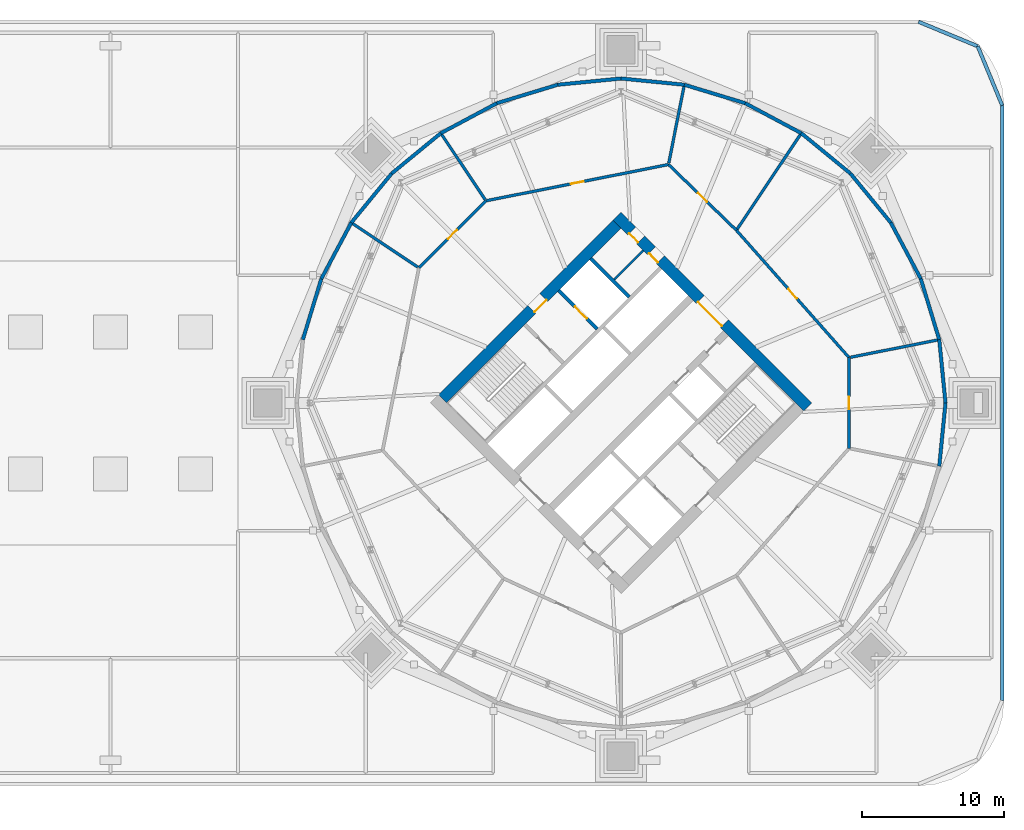
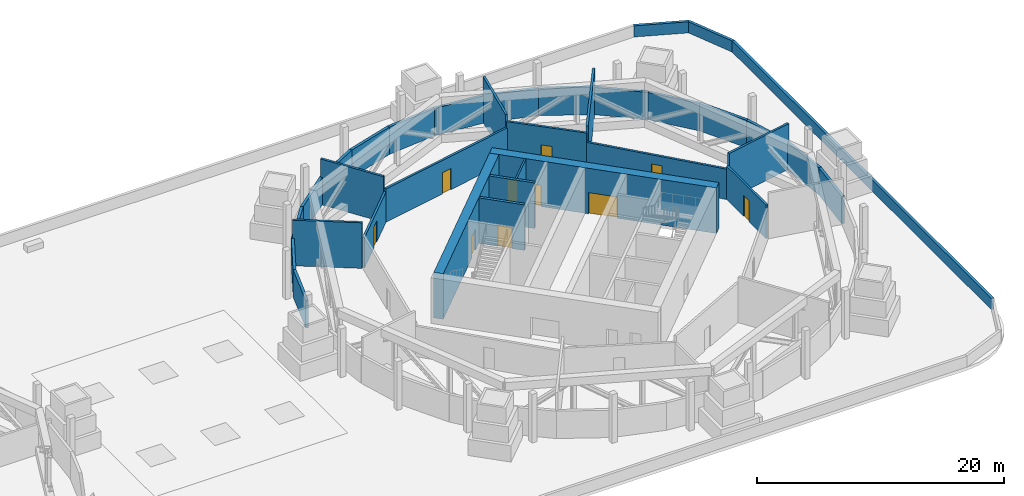
# One storey, part 16 of 21: 34 walls, 10 doors, 10 openings.
"""IFC4 building model written with IfcOpenShell, lengths in metres."""

from ifc_helpers import new_model, si_unit, direction, frame, frame_2d, origin, place, context, subcontext, project, spatial, rectangle, extrude, material, layer, layer_set, type_object, element, fill, save


model = new_model("IFC4")

# Units and contexts
model_context = context("Model", 3, precision=1e-05, world=origin(), true_north=direction((0.0, 1.0)))
body_context = subcontext(model_context, "Body", "Model", "MODEL_VIEW")
ifc_project = project(units=[si_unit("LENGTHUNIT", "METRE"), si_unit("AREAUNIT", "SQUARE_METRE"), si_unit("VOLUMEUNIT", "CUBIC_METRE"), si_unit("PLANEANGLEUNIT", "RADIAN"), si_unit("MASSUNIT", "GRAM", prefix="KILO")], contexts=[model_context])

# Site, building, storey
site_placement = place(None, origin())
site = spatial("IfcSite", under=ifc_project, at=site_placement, CompositionType="ELEMENT")
building_placement = place(site_placement, origin())
building = spatial("IfcBuilding", under=site, at=building_placement, Name="Ogive Gate Towers", CompositionType="ELEMENT")
storey_placement = place(building_placement, frame((0.0, 0.0, 27.60009765625)))
storey = spatial("IfcBuildingStorey", under=building, at=storey_placement, Name="L05", CompositionType="ELEMENT", Elevation=27.60009765625)

# Walls
ifc_material_1 = material(Name="Fire-rated block compartment wall")
ifc_layer_1 = layer(ifc_material_1, 0.199951171875)
ifc_layer_set_1 = layer_set([ifc_layer_1], Name="Compartment wall 200")
wall_type_1 = type_object("IfcWallType", Name="Compartment wall 200", PredefinedType="PARTITIONING", material=ifc_layer_set_1)
wall_1_placement = place(storey_placement, frame((58.45947265625, 4.467529296875, 0.0), z_axis=(0.0, 0.0, 1.0), x_axis=(-0.980788171944, -0.195075784694, 0.0)))
element("IfcWall", 1, at=wall_1_placement, inside=storey, type_object=wall_type_1, Name="Partition T2-L05-001", PredefinedType="PARTITIONING", context=body_context, shape_type="SweptSolid", body=[
    extrude(rectangle(XDim=6.408935546875, YDim=0.199951171875, at=frame_2d((3.20458984375, 0.0))), origin(), (0.0, 0.0, 1.0), 4.5),
])
wall_2_placement = place(storey_placement, frame((48.722412109375, 19.040283203125, 0.0), z_axis=(0.0, 0.0, 1.0), x_axis=(-0.555576856698, -0.831465186464, 0.0)))
element("IfcWall", 2, at=wall_2_placement, inside=storey, type_object=wall_type_1, Name="Partition T2-L05-002", PredefinedType="PARTITIONING", context=body_context, shape_type="SweptSolid", body=[
    extrude(rectangle(XDim=8.158935546875, YDim=0.199951171875, at=frame_2d((4.07958984375, 0.0))), origin(), (0.0, 0.0, 1.0), 4.5),
])
wall_3_placement = place(storey_placement, frame((40.467529296875, 22.45947265625, 0.0), z_axis=(0.0, 0.0, 1.0), x_axis=(-0.195087260988, -0.980785889275, 0.0)))
element("IfcWall", 3, at=wall_3_placement, inside=storey, type_object=wall_type_1, Name="Partition T2-L05-003", PredefinedType="PARTITIONING", context=body_context, shape_type="SweptSolid", body=[
    extrude(rectangle(XDim=5.658935546875, YDim=0.199951171875, at=frame_2d((2.82958984375, 0.0))), origin(), (0.0, 0.0, 1.0), 4.5),
])
for number, where, z_axis, x_axis, name in (
    (4, (23.277587890625, 19.040283203125, 0.0), (0.0, 0.0, 1.0), (0.555575992651, -0.831465763811, 0.0), "Partition T2-L05-004"),
    (5, (16.959716796875, 12.722412109375, 0.0), (0.0, 0.0, 1.0), (0.831465763811, -0.555575992651, 0.0), "Partition T2-L05-005"),
):
    element("IfcWall", number, at=place(storey_placement, frame(where, z_axis=z_axis, x_axis=x_axis)), inside=storey, type_object=wall_type_1, Name=name, PredefinedType="PARTITIONING", context=body_context, shape_type="SweptSolid", body=[
        extrude(rectangle(XDim=5.6591796875, YDim=0.199951171875, at=frame_2d((2.82958984375, 0.0))), origin(), (0.0, 0.0, 1.0), 4.5),
    ])

# Wall, opening, door
wall_4_placement = place(storey_placement, frame((52.075439453125, 3.197509765625, 0.0), z_axis=(0.0, 0.0, 1.0), x_axis=(-0.662653875427, 0.748925791638, 0.0)))
wall_4 = element("IfcWall", 6, at=wall_4_placement, inside=storey, type_object=wall_type_1, Name="Partition T2-L05-011", PredefinedType="PARTITIONING", context=body_context, shape_type="SweptSolid", body=[
    extrude(rectangle(XDim=11.984619140625, YDim=0.199951171875, at=frame_2d((5.9921875, 0.0))), origin(), (0.0, 0.0, 1.0), 3.0),
])
opening_1_placement = place(wall_4_placement, frame((5.5419921875, 0.0, 0.0)))
opening_1 = element("IfcOpeningElement", 7, at=opening_1_placement, cuts=wall_4, Name="Opening T2-L05-D01", PredefinedType="OPENING", context=body_context, shape_type="SweptSolid", body=[
    extrude(rectangle(XDim=0.89990234375, YDim=2.10009765625, at=frame_2d((0.449951171875, 1.050048828125))), frame((0.0, 0.10986328125, 0.0), z_axis=(0.0, -1.0, 0.0), x_axis=(1.0, 0.0, 0.0)), (0.0, 0.0, 1.0), 0.219970703125),
])
ifc_material_2 = material(Name="Steel fire door", Category="steel")
door_type_1 = type_object("IfcDoorType", Name="Fire door 900 FD30S", OperationType="NOTDEFINED", PredefinedType="DOOR", material=ifc_material_2)
door_1_placement = place(opening_1_placement, origin())
door_1 = element("IfcDoor", 8, at=door_1_placement, inside=storey, type_object=door_type_1, Name="Door T2-L05-D01", OperationType="SINGLE_SWING_RIGHT", OverallHeight=2.10009765625, OverallWidth=0.89990234375, PredefinedType="DOOR", context=body_context, shape_type="SweptSolid", body=[
    extrude(rectangle(XDim=0.89990234375, YDim=2.10009765625, at=frame_2d((0.449951171875, 1.050048828125))), frame((0.0, 0.02490234375, 0.0), z_axis=(0.0, -1.0, 0.0), x_axis=(1.0, 0.0, 0.0)), (0.0, 0.0, 1.0), 0.050048828125),
])
fill(opening_1, door_1)

wall_5_placement = place(storey_placement, frame((44.1337890625, 12.173095703125, 0.0), z_axis=(0.0, 0.0, 1.0), x_axis=(-0.718403184253, 0.695626958114, 0.0)))
wall_5 = element("IfcWall", 9, at=wall_5_placement, inside=storey, type_object=wall_type_1, Name="Partition T2-L05-012", PredefinedType="PARTITIONING", context=body_context, shape_type="SweptSolid", body=[
    extrude(rectangle(XDim=6.667236328125, YDim=0.199951171875, at=frame_2d((3.33349609375, 0.0))), origin(), (0.0, 0.0, 1.0), 3.909912109375),
])
opening_2_placement = place(wall_5_placement, frame((2.884033203125, 0.0, 0.0)))
opening_2 = element("IfcOpeningElement", 10, at=opening_2_placement, cuts=wall_5, Name="Opening T2-L05-D02", PredefinedType="OPENING", context=body_context, shape_type="SweptSolid", body=[
    extrude(rectangle(XDim=0.89990234375, YDim=2.10009765625, at=frame_2d((0.449951171875, 1.050048828125))), frame((0.0, 0.10986328125, 0.0), z_axis=(0.0, -1.0, 0.0), x_axis=(1.0, 0.0, 0.0)), (0.0, 0.0, 1.0), 0.219970703125),
])
door_2_placement = place(opening_2_placement, origin())
door_2 = element("IfcDoor", 11, at=door_2_placement, inside=storey, type_object=door_type_1, Name="Door T2-L05-D02", OperationType="SINGLE_SWING_LEFT", OverallHeight=2.10009765625, OverallWidth=0.89990234375, PredefinedType="DOOR", context=body_context, shape_type="SweptSolid", body=[
    extrude(rectangle(XDim=0.89990234375, YDim=2.10009765625, at=frame_2d((0.449951171875, 1.050048828125))), frame((0.0, 0.02490234375, 0.0), z_axis=(0.0, -1.0, 0.0), x_axis=(1.0, 0.0, 0.0)), (0.0, 0.0, 1.0), 0.050048828125),
])
fill(opening_2, door_2)

wall_6_placement = place(storey_placement, frame((39.343994140625, 16.81103515625, 0.0), z_axis=(0.0, 0.0, 1.0), x_axis=(-0.980785563797, -0.195088897296, 0.0)))
wall_6 = element("IfcWall", 12, at=wall_6_placement, inside=storey, type_object=wall_type_1, Name="Partition T2-L05-013", PredefinedType="PARTITIONING", context=body_context, shape_type="SweptSolid", body=[
    extrude(rectangle(XDim=13.11865234375, YDim=0.199951171875, at=frame_2d((6.559326171875, 0.0))), origin(), (0.0, 0.0, 1.0), 3.2998046875),
])
opening_3_placement = place(wall_6_placement, frame((6.10888671875, 0.0, 0.0)))
opening_3 = element("IfcOpeningElement", 13, at=opening_3_placement, cuts=wall_6, Name="Opening T2-L05-D03", PredefinedType="OPENING", context=body_context, shape_type="SweptSolid", body=[
    extrude(rectangle(XDim=0.89990234375, YDim=2.10009765625, at=frame_2d((0.449951171875, 1.050048828125))), frame((0.0, 0.10986328125, 0.0), z_axis=(0.0, -1.0, 0.0), x_axis=(1.0, 0.0, 0.0)), (0.0, 0.0, 1.0), 0.219970703125),
])
door_3_placement = place(opening_3_placement, origin())
door_3 = element("IfcDoor", 14, at=door_3_placement, inside=storey, type_object=door_type_1, Name="Door T2-L05-D03", OperationType="SINGLE_SWING_LEFT", OverallHeight=2.10009765625, OverallWidth=0.89990234375, PredefinedType="DOOR", context=body_context, shape_type="SweptSolid", body=[
    extrude(rectangle(XDim=0.89990234375, YDim=2.10009765625, at=frame_2d((0.449951171875, 1.050048828125))), frame((0.0, 0.02490234375, 0.0), z_axis=(0.0, -1.0, 0.0), x_axis=(1.0, 0.0, 0.0)), (0.0, 0.0, 1.0), 0.050048828125),
])
fill(opening_3, door_3)

wall_7_placement = place(storey_placement, frame((26.477294921875, 14.251708984375, 0.0), z_axis=(0.0, 0.0, 1.0), x_axis=(-0.707106781187, -0.707106781187, 0.0)))
wall_7 = element("IfcWall", 15, at=wall_7_placement, inside=storey, type_object=wall_type_1, Name="Partition T2-L05-014", PredefinedType="PARTITIONING", context=body_context, shape_type="SweptSolid", body=[
    extrude(rectangle(XDim=6.687744140625, YDim=0.199951171875, at=frame_2d((3.34375, 0.0))), origin(), (0.0, 0.0, 1.0), 3.0),
])
opening_4_placement = place(wall_7_placement, frame((2.89404296875, 0.0, 0.0)))
opening_4 = element("IfcOpeningElement", 16, at=opening_4_placement, cuts=wall_7, Name="Opening T2-L05-D04", PredefinedType="OPENING", context=body_context, shape_type="SweptSolid", body=[
    extrude(rectangle(XDim=0.89990234375, YDim=2.10009765625, at=frame_2d((0.449951171875, 1.050048828125))), frame((0.0, 0.10986328125, 0.0), z_axis=(0.0, -1.0, 0.0), x_axis=(1.0, 0.0, 0.0)), (0.0, 0.0, 1.0), 0.219970703125),
])
door_4_placement = place(opening_4_placement, origin())
door_4 = element("IfcDoor", 17, at=door_4_placement, inside=storey, type_object=door_type_1, Name="Door T2-L05-D04", OperationType="SINGLE_SWING_LEFT", OverallHeight=2.10009765625, OverallWidth=0.89990234375, PredefinedType="DOOR", context=body_context, shape_type="SweptSolid", body=[
    extrude(rectangle(XDim=0.89990234375, YDim=2.10009765625, at=frame_2d((0.449951171875, 1.050048828125))), frame((0.0, 0.02490234375, 0.0), z_axis=(0.0, -1.0, 0.0), x_axis=(1.0, 0.0, 0.0)), (0.0, 0.0, 1.0), 0.050048828125),
])
fill(opening_4, door_4)

wall_8_placement = place(storey_placement, frame((52.075439453125, -3.197509765625, 0.0), z_axis=(0.0, 0.0, 1.0), x_axis=(0.0, 1.0, 0.0)))
wall_8 = element("IfcWall", 18, at=wall_8_placement, inside=storey, type_object=wall_type_1, Name="Partition T2-L05-020", PredefinedType="PARTITIONING", context=body_context, shape_type="SweptSolid", body=[
    extrude(rectangle(XDim=6.39501953125, YDim=0.199951171875, at=frame_2d((3.197509765625, 0.0))), origin(), (0.0, 0.0, 1.0), 3.2998046875),
])
opening_5_placement = place(wall_8_placement, frame((2.748046875, 0.0, 0.0)))
opening_5 = element("IfcOpeningElement", 19, at=opening_5_placement, cuts=wall_8, Name="Opening T2-L05-D10", PredefinedType="OPENING", context=body_context, shape_type="SweptSolid", body=[
    extrude(rectangle(XDim=0.89990234375, YDim=2.10009765625, at=frame_2d((0.449951171875, 1.050048828125))), frame((0.0, 0.10986328125, 0.0), z_axis=(0.0, -1.0, 0.0), x_axis=(1.0, 0.0, 0.0)), (0.0, 0.0, 1.0), 0.219970703125),
])
door_5_placement = place(opening_5_placement, origin())
door_5 = element("IfcDoor", 20, at=door_5_placement, inside=storey, type_object=door_type_1, Name="Door T2-L05-D10", OperationType="SINGLE_SWING_RIGHT", OverallHeight=2.10009765625, OverallWidth=0.89990234375, PredefinedType="DOOR", context=body_context, shape_type="SweptSolid", body=[
    extrude(rectangle(XDim=0.89990234375, YDim=2.10009765625, at=frame_2d((0.449951171875, 1.050048828125))), frame((0.0, 0.02490234375, 0.0), z_axis=(0.0, -1.0, 0.0), x_axis=(1.0, 0.0, 0.0)), (0.0, 0.0, 1.0), 0.050048828125),
])
fill(opening_5, door_5)

ifc_material_3 = material(Name="Concrete C60/75", Category="concrete")
ifc_layer_2 = layer(ifc_material_3, 0.800048828125)
ifc_layer_set_2 = layer_set([ifc_layer_2], Name="Core wall 800 mm")
wall_type_2 = type_object("IfcWallType", Name="Core wall 800 mm", PredefinedType="SHEAR", material=ifc_layer_set_2)
wall_9_placement = place(storey_placement, frame((23.41357421875, 0.28271484375, 0.0), z_axis=(0.0, 0.0, 1.0), x_axis=(0.707106781187, 0.707106781187, 0.0)))
wall_9 = element("IfcWall", 21, at=wall_9_placement, inside=storey, type_object=wall_type_2, Name="T2 L05 Core wall 800 mm", PredefinedType="SHEAR", context=body_context, shape_type="SweptSolid", body=[
    extrude(rectangle(XDim=17.400146484375, YDim=0.800048828125, at=frame_2d((8.7001953125, 0.0))), origin(), (0.0, 0.0, 1.0), 4.5),
])
opening_6_placement = place(wall_9_placement, frame((8.89990234375, 0.0, 0.0)))
opening_6 = element("IfcOpeningElement", 22, at=opening_6_placement, cuts=wall_9, Name="Opening KD-T2-L05-09", PredefinedType="OPENING", context=body_context, shape_type="SweptSolid", body=[
    extrude(rectangle(XDim=1.199951171875, YDim=2.10009765625, at=frame_2d((0.60009765625, 1.050048828125))), frame((0.0, 0.41015625, 0.0), z_axis=(0.0, -1.0, 0.0), x_axis=(1.0, 0.0, 0.0)), (0.0, 0.0, 1.0), 0.820068359375),
])
door_type_2 = type_object("IfcDoorType", Name="Core door FD60S 1200 x 2100", OperationType="NOTDEFINED", PredefinedType="DOOR", material=ifc_material_2)
door_6_placement = place(opening_6_placement, origin())
door_6 = element("IfcDoor", 23, at=door_6_placement, inside=storey, type_object=door_type_2, Name="T2 L05 Fire-fighting lobby door", OperationType="SINGLE_SWING_RIGHT", OverallHeight=2.10009765625, OverallWidth=1.199951171875, PredefinedType="DOOR", context=body_context, shape_type="SweptSolid", body=[
    extrude(rectangle(XDim=1.199951171875, YDim=2.10009765625, at=frame_2d((0.60009765625, 1.050048828125))), frame((0.0, -0.22509765625, 0.0), z_axis=(0.0, -1.0, 0.0), x_axis=(1.0, 0.0, 0.0)), (0.0, 0.0, 1.0), 0.050048828125),
])
fill(opening_6, door_6)

# Wall, openings, doors
wall_10_placement = place(storey_placement, frame((49.152099609375, -0.28271484375, 0.0), z_axis=(0.0, 0.0, 1.0), x_axis=(-0.707106781187, 0.707106781187, 0.0)))
wall_10 = element("IfcWall", 24, at=wall_10_placement, inside=storey, type_object=wall_type_2, Name="T2 L05 Core wall 800 mm", PredefinedType="SHEAR", context=body_context, shape_type="SweptSolid", body=[
    extrude(rectangle(XDim=18.999755859375, YDim=0.800048828125, at=frame_2d((9.5, 0.0))), origin(), (0.0, 0.0, 1.0), 4.5),
])
opening_7_placement = place(wall_10_placement, frame((8.300048828125, 0.0, 0.0)))
opening_7 = element("IfcOpeningElement", 25, at=opening_7_placement, cuts=wall_10, Name="Opening KD-T2-L05-02", PredefinedType="OPENING", context=body_context, shape_type="SweptSolid", body=[
    extrude(rectangle(XDim=2.39990234375, YDim=2.10009765625, at=frame_2d((1.199951171875, 1.050048828125))), frame((0.0, 0.41015625, 0.0), z_axis=(0.0, -1.0, 0.0), x_axis=(1.0, 0.0, 0.0)), (0.0, 0.0, 1.0), 0.820068359375),
])
opening_8_placement = place(wall_10_placement, frame((14.675048828125, 0.0, 0.0)))
opening_8 = element("IfcOpeningElement", 26, at=opening_8_placement, cuts=wall_10, Name="Opening KD-T2-L05-11", PredefinedType="OPENING", context=body_context, shape_type="SweptSolid", body=[
    extrude(rectangle(XDim=0.89990234375, YDim=2.10009765625, at=frame_2d((0.449951171875, 1.050048828125))), frame((0.0, 0.41015625, 0.0), z_axis=(0.0, -1.0, 0.0), x_axis=(1.0, 0.0, 0.0)), (0.0, 0.0, 1.0), 0.820068359375),
])
opening_9_placement = place(wall_10_placement, frame((16.64990234375, 0.0, 0.0)))
opening_9 = element("IfcOpeningElement", 27, at=opening_9_placement, cuts=wall_10, Name="Opening KD-T2-L05-12", PredefinedType="OPENING", context=body_context, shape_type="SweptSolid", body=[
    extrude(rectangle(XDim=0.89990234375, YDim=2.10009765625, at=frame_2d((0.449951171875, 1.050048828125))), frame((0.0, 0.41015625, 0.0), z_axis=(0.0, -1.0, 0.0), x_axis=(1.0, 0.0, 0.0)), (0.0, 0.0, 1.0), 0.820068359375),
])
door_type_3 = type_object("IfcDoorType", Name="Core door FD60S 900 x 2100", OperationType="NOTDEFINED", PredefinedType="DOOR", material=ifc_material_2)
door_7_placement = place(opening_8_placement, origin())
door_7 = element("IfcDoor", 28, at=door_7_placement, inside=storey, type_object=door_type_3, Name="T2 L05 Core door", OperationType="SINGLE_SWING_RIGHT", OverallHeight=2.10009765625, OverallWidth=0.89990234375, PredefinedType="DOOR", context=body_context, shape_type="SweptSolid", body=[
    extrude(rectangle(XDim=0.89990234375, YDim=2.10009765625, at=frame_2d((0.449951171875, 1.050048828125))), frame((0.0, 0.27490234375, 0.0), z_axis=(0.0, -1.0, 0.0), x_axis=(1.0, 0.0, 0.0)), (0.0, 0.0, 1.0), 0.050048828125),
])
fill(opening_8, door_7)
door_8_placement = place(opening_9_placement, origin())
door_8 = element("IfcDoor", 29, at=door_8_placement, inside=storey, type_object=door_type_3, Name="T2 L05 Core door", OperationType="SINGLE_SWING_LEFT", OverallHeight=2.10009765625, OverallWidth=0.89990234375, PredefinedType="DOOR", context=body_context, shape_type="SweptSolid", body=[
    extrude(rectangle(XDim=0.89990234375, YDim=2.10009765625, at=frame_2d((0.449951171875, 1.050048828125))), frame((0.0, 0.27490234375, 0.0), z_axis=(0.0, -1.0, 0.0), x_axis=(1.0, 0.0, 0.0)), (0.0, 0.0, 1.0), 0.050048828125),
])
fill(opening_9, door_8)
door_type_4 = type_object("IfcDoorType", Name="Core double door FD60S 2400 x 2100", OperationType="DOUBLE_DOOR_SINGLE_SWING", PredefinedType="DOOR", material=ifc_material_2)
door_9_placement = place(opening_7_placement, origin())
door_9 = element("IfcDoor", 30, at=door_9_placement, inside=storey, type_object=door_type_4, Name="T2 L05 Core door double", OperationType="DOUBLE_DOOR_SINGLE_SWING", OverallHeight=2.10009765625, OverallWidth=2.39990234375, PredefinedType="DOOR", context=body_context, shape_type="SweptSolid", body=[
    extrude(rectangle(XDim=2.39990234375, YDim=2.10009765625, at=frame_2d((1.199951171875, 1.050048828125))), frame((0.0, 0.27490234375, 0.0), z_axis=(0.0, -1.0, 0.0), x_axis=(1.0, 0.0, 0.0)), (0.0, 0.0, 1.0), 0.050048828125),
])
fill(opening_7, door_9)

# Walls
ifc_material_4 = material(Name="Precast concrete C40/50", Category="concrete")
ifc_layer_3 = layer(ifc_material_4, 0.25)
ifc_layer_set_3 = layer_set([ifc_layer_3], Name="Parapet wall 1100")
wall_type_3 = type_object("IfcWallType", Name="Parapet wall 1100", PredefinedType="PARAPET", material=ifc_layer_set_3)
wall_11_placement = place(storey_placement, frame((62.875, -20.97509765625, 0.0), z_axis=(0.0, 0.0, 1.0), x_axis=(0.0, 1.0, 0.0)))
element("IfcWall", 31, at=wall_11_placement, inside=storey, type_object=wall_type_3, Name="Parapet wall", PredefinedType="PARAPET", context=body_context, shape_type="SweptSolid", body=[
    extrude(rectangle(XDim=41.9501953125, YDim=0.25, at=frame_2d((20.97509765625, 0.0))), origin(), (0.0, 0.0, 1.0), 1.099853515625),
])
for number, where, z_axis, x_axis, name in (
    (32, (62.875, 20.97509765625, 0.0), (0.0, 0.0, 1.0), (-0.382679678022, 0.923881087602, 0.0), "Parapet wall"),
    (33, (61.14697265625, 25.14697265625, 0.0), (0.0, 0.0, 1.0), (-0.923881087602, 0.382679678022, 0.0), "Parapet wall"),
):
    element("IfcWall", number, at=place(storey_placement, frame(where, z_axis=z_axis, x_axis=x_axis)), inside=storey, type_object=wall_type_3, Name=name, PredefinedType="PARAPET", context=body_context, shape_type="SweptSolid", body=[
        extrude(rectangle(XDim=4.515625, YDim=0.25, at=frame_2d((2.2578125, 0.0))), origin(), (0.0, 0.0, 1.0), 1.099853515625),
    ])
ifc_material_5 = material(Name="Pale metal aluminium louvre", Category="aluminium")
ifc_layer_4 = layer(ifc_material_5, 0.25)
ifc_layer_set_4 = layer_set([ifc_layer_4], Name="Plant louvre wall")
wall_type_4 = type_object("IfcWallType", Name="Plant louvre wall", PredefinedType="SOLIDWALL", material=ifc_layer_set_4)
for number, where, z_axis, x_axis, name in (
    (34, (58.875, 0.0, 0.0), (0.0, 0.0, 1.0), (-0.098053571273, 0.995181137864, 0.0), "Plant louvre wall"),
    (35, (58.435302734375, 4.462646484375, 0.0), (0.0, 0.0, 1.0), (-0.290288433444, 0.956939196296, 0.0), "Plant louvre wall"),
):
    element("IfcWall", number, at=place(storey_placement, frame(where, z_axis=z_axis, x_axis=x_axis)), inside=storey, type_object=wall_type_4, Name=name, PredefinedType="SOLIDWALL", context=body_context, shape_type="SweptSolid", body=[
        extrude(rectangle(XDim=4.484375, YDim=0.25, at=frame_2d((2.2421875, 0.0))), origin(), (0.0, 0.0, 1.0), 2.699951171875),
    ])
wall_12_placement = place(storey_placement, frame((57.133544921875, 8.75390625, 0.0), z_axis=(0.0, 0.0, 1.0), x_axis=(-0.471396254905, 0.88192152194, 0.0)))
element("IfcWall", 36, at=wall_12_placement, inside=storey, type_object=wall_type_4, Name="Plant louvre wall", PredefinedType="SOLIDWALL", context=body_context, shape_type="SweptSolid", body=[
    extrude(rectangle(XDim=4.484130859375, YDim=0.25, at=frame_2d((2.2421875, 0.0))), origin(), (0.0, 0.0, 1.0), 2.699951171875),
])
for number, where, z_axis, x_axis, name in (
    (37, (55.019775390625, 12.70849609375, 0.0), (0.0, 0.0, 1.0), (-0.634366667709, 0.773032296155, 0.0), "Plant louvre wall"),
    (38, (52.175048828125, 16.175048828125, 0.0), (0.0, 0.0, 1.0), (-0.773032296155, 0.634366667709, 0.0), "Plant louvre wall"),
):
    element("IfcWall", number, at=place(storey_placement, frame(where, z_axis=z_axis, x_axis=x_axis)), inside=storey, type_object=wall_type_4, Name=name, PredefinedType="SOLIDWALL", context=body_context, shape_type="SweptSolid", body=[
        extrude(rectangle(XDim=4.484375, YDim=0.25, at=frame_2d((2.2421875, 0.0))), origin(), (0.0, 0.0, 1.0), 2.699951171875),
    ])
wall_13_placement = place(storey_placement, frame((48.70849609375, 19.019775390625, 0.0), z_axis=(0.0, 0.0, 1.0), x_axis=(-0.88192152194, 0.471396254905, 0.0)))
element("IfcWall", 39, at=wall_13_placement, inside=storey, type_object=wall_type_4, Name="Plant louvre wall", PredefinedType="SOLIDWALL", context=body_context, shape_type="SweptSolid", body=[
    extrude(rectangle(XDim=4.484130859375, YDim=0.25, at=frame_2d((2.2421875, 0.0))), origin(), (0.0, 0.0, 1.0), 2.699951171875),
])
for number, where, z_axis, x_axis, name in (
    (40, (44.75390625, 21.133544921875, 0.0), (0.0, 0.0, 1.0), (-0.956939196296, 0.290288433444, 0.0), "Plant louvre wall"),
    (41, (40.462646484375, 22.435302734375, 0.0), (0.0, 0.0, 1.0), (-0.995181137864, 0.098053571273, 0.0), "Plant louvre wall"),
    (42, (36.0, 22.875, 0.0), (0.0, 0.0, 1.0), (-0.995181137864, -0.098053571273, 0.0), "Plant louvre wall"),
    (43, (31.537353515625, 22.435302734375, 0.0), (0.0, 0.0, 1.0), (-0.956939196296, -0.290288433444, 0.0), "Plant louvre wall"),
):
    element("IfcWall", number, at=place(storey_placement, frame(where, z_axis=z_axis, x_axis=x_axis)), inside=storey, type_object=wall_type_4, Name=name, PredefinedType="SOLIDWALL", context=body_context, shape_type="SweptSolid", body=[
        extrude(rectangle(XDim=4.484375, YDim=0.25, at=frame_2d((2.2421875, 0.0))), origin(), (0.0, 0.0, 1.0), 2.699951171875),
    ])
wall_14_placement = place(storey_placement, frame((27.24609375, 21.133544921875, 0.0), z_axis=(0.0, 0.0, 1.0), x_axis=(-0.88192152194, -0.471396254905, 0.0)))
element("IfcWall", 44, at=wall_14_placement, inside=storey, type_object=wall_type_4, Name="Plant louvre wall", PredefinedType="SOLIDWALL", context=body_context, shape_type="SweptSolid", body=[
    extrude(rectangle(XDim=4.484130859375, YDim=0.25, at=frame_2d((2.2421875, 0.0))), origin(), (0.0, 0.0, 1.0), 2.699951171875),
])
for number, where, z_axis, x_axis, name in (
    (45, (23.29150390625, 19.019775390625, 0.0), (0.0, 0.0, 1.0), (-0.773032296155, -0.634366667709, 0.0), "Plant louvre wall"),
    (46, (19.824951171875, 16.175048828125, 0.0), (0.0, 0.0, 1.0), (-0.634366667709, -0.773032296155, 0.0), "Plant louvre wall"),
):
    element("IfcWall", number, at=place(storey_placement, frame(where, z_axis=z_axis, x_axis=x_axis)), inside=storey, type_object=wall_type_4, Name=name, PredefinedType="SOLIDWALL", context=body_context, shape_type="SweptSolid", body=[
        extrude(rectangle(XDim=4.484375, YDim=0.25, at=frame_2d((2.2421875, 0.0))), origin(), (0.0, 0.0, 1.0), 2.699951171875),
    ])
wall_15_placement = place(storey_placement, frame((16.980224609375, 12.70849609375, 0.0), z_axis=(0.0, 0.0, 1.0), x_axis=(-0.471396254905, -0.88192152194, 0.0)))
element("IfcWall", 47, at=wall_15_placement, inside=storey, type_object=wall_type_4, Name="Plant louvre wall", PredefinedType="SOLIDWALL", context=body_context, shape_type="SweptSolid", body=[
    extrude(rectangle(XDim=4.484130859375, YDim=0.25, at=frame_2d((2.2421875, 0.0))), origin(), (0.0, 0.0, 1.0), 2.699951171875),
])
for number, where, z_axis, x_axis, name in (
    (48, (14.866455078125, 8.75390625, 0.0), (0.0, 0.0, 1.0), (-0.290288433444, -0.956939196296, 0.0), "Plant louvre wall"),
    (49, (58.435302734375, -4.462646484375, 0.0), (0.0, 0.0, 1.0), (0.098053571273, 0.995181137864, 0.0), "Plant louvre wall"),
):
    element("IfcWall", number, at=place(storey_placement, frame(where, z_axis=z_axis, x_axis=x_axis)), inside=storey, type_object=wall_type_4, Name=name, PredefinedType="SOLIDWALL", context=body_context, shape_type="SweptSolid", body=[
        extrude(rectangle(XDim=4.484375, YDim=0.25, at=frame_2d((2.2421875, 0.0))), origin(), (0.0, 0.0, 1.0), 2.699951171875),
    ])
ifc_material_6 = material(Name="Gypsum board partition")
ifc_layer_5 = layer(ifc_material_6, 0.14990234375)
ifc_layer_set_5 = layer_set([ifc_layer_5], Name="Room partition 150 mm")
wall_type_5 = type_object("IfcWallType", Name="Room partition 150 mm", PredefinedType="PARTITIONING", material=ifc_layer_set_5)
wall_16_placement = place(storey_placement, frame((35.522705078125, 8.715087890625, 0.0), z_axis=(0.0, 0.0, 1.0), x_axis=(0.707106781187, 0.707106781187, 0.0)))
element("IfcWall", 50, at=wall_16_placement, inside=storey, type_object=wall_type_5, Name="T2 L05 Room partition 150 mm", PredefinedType="PARTITIONING", context=body_context, shape_type="SweptSolid", body=[
    extrude(rectangle(XDim=2.875, YDim=0.14990234375, at=frame_2d((1.4375, 0.0))), origin(), (0.0, 0.0, 1.0), 4.5),
])

# Wall, opening, door
ifc_layer_6 = layer(ifc_material_3, 0.25)
ifc_layer_set_6 = layer_set([ifc_layer_6], Name="Shaft wall 250 mm")
wall_type_6 = type_object("IfcWallType", Name="Shaft wall 250 mm", PredefinedType="SHEAR", material=ifc_layer_set_6)
wall_17_placement = place(storey_placement, frame((34.320556640625, 5.21484375, 0.0), z_axis=(0.0, 0.0, 1.0), x_axis=(-0.707074866995, 0.707138693938, 0.0)))
wall_17 = element("IfcWall", 51, at=wall_17_placement, inside=storey, type_object=wall_type_6, Name="T2 L05 Shaft wall 250 mm", PredefinedType="SHEAR", context=body_context, shape_type="SweptSolid", body=[
    extrude(rectangle(XDim=3.824951171875, YDim=0.25, at=frame_2d((1.91259765625, 0.0))), origin(), (0.0, 0.0, 1.0), 4.5),
])
opening_10_placement = place(wall_17_placement, frame((1.02490234375, 0.0, 0.0)))
opening_10 = element("IfcOpeningElement", 52, at=opening_10_placement, cuts=wall_17, Name="Opening LD-T2-L05-04", PredefinedType="OPENING", context=body_context, shape_type="SweptSolid", body=[
    extrude(rectangle(XDim=1.199951171875, YDim=2.10009765625, at=frame_2d((0.60009765625, 1.050048828125))), frame((0.0, 0.135009765625, 0.0), z_axis=(0.0, -1.0, 0.0), x_axis=(1.0, 0.0, 0.0)), (0.0, 0.0, 1.0), 0.27001953125),
])
ifc_material_7 = material(Name="Stainless steel landing door", Category="steel")
door_type_5 = type_object("IfcDoorType", Name="Landing door 1200 x 2100", OperationType="SLIDING_TO_LEFT", PredefinedType="DOOR", material=ifc_material_7)
door_10_placement = place(opening_10_placement, origin())
door_10 = element("IfcDoor", 53, at=door_10_placement, inside=storey, type_object=door_type_5, Name="T2 L05 Lift landing door FF1", OperationType="SLIDING_TO_LEFT", OverallHeight=2.10009765625, OverallWidth=1.199951171875, PredefinedType="DOOR", context=body_context, shape_type="SweptSolid", body=[
    extrude(rectangle(XDim=1.199951171875, YDim=2.10009765625, at=frame_2d((0.60009765625, 1.050048828125))), frame((0.0, 0.02490234375, 0.0), z_axis=(0.0, -1.0, 0.0), x_axis=(1.0, 0.0, 0.0)), (0.0, 0.0, 1.0), 0.050048828125),
])
fill(opening_10, door_10)

# Wall
wall_18_placement = place(storey_placement, frame((36.58349609375, 7.477783203125, 0.0), z_axis=(0.0, 0.0, 1.0), x_axis=(-0.707138693938, 0.707074866995, 0.0)))
element("IfcWall", 54, at=wall_18_placement, inside=storey, type_object=wall_type_6, Name="T2 L05 Shaft wall 250 mm", PredefinedType="SHEAR", context=body_context, shape_type="SweptSolid", body=[
    extrude(rectangle(XDim=3.824951171875, YDim=0.25, at=frame_2d((1.91259765625, 0.0))), origin(), (0.0, 0.0, 1.0), 4.5),
])

save(model, "model.ifc")
